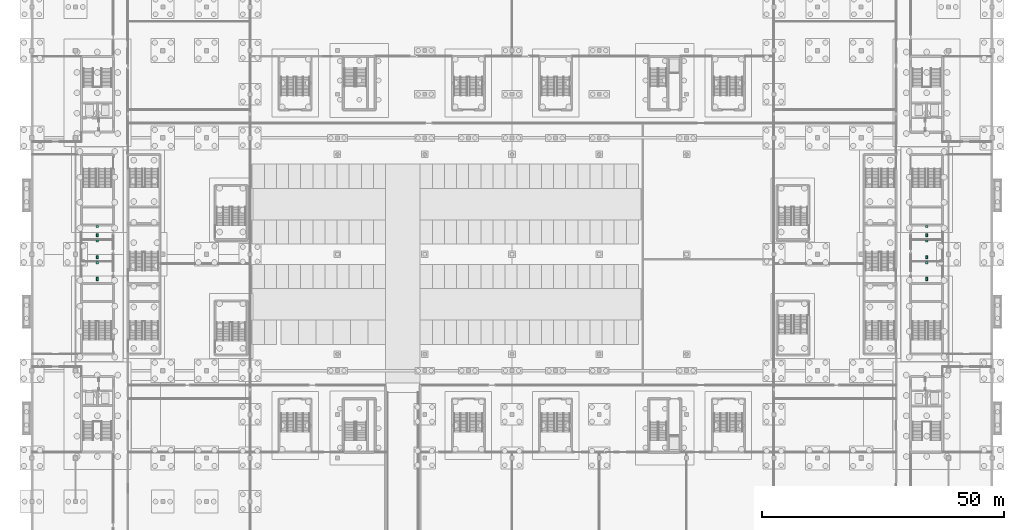
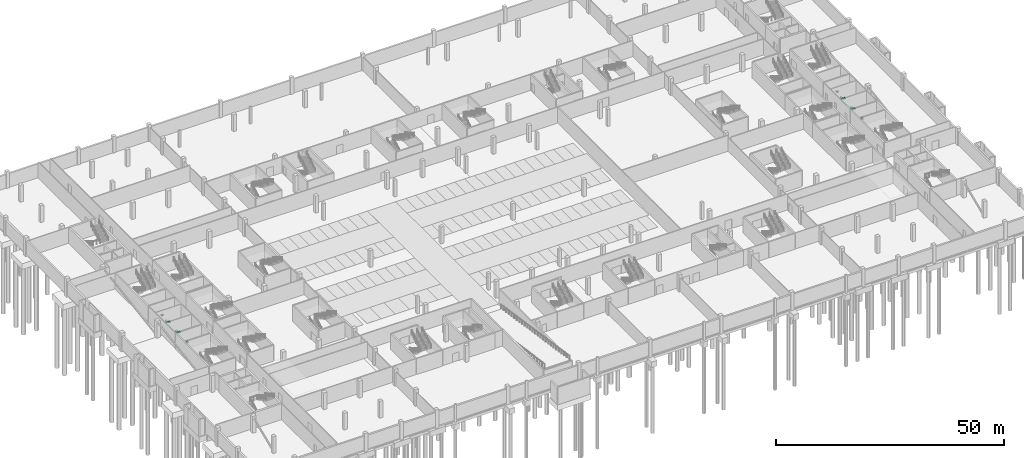
# One storey, part 45 of 46: 12 sanitary terminals.
"""IFC4 building model written with IfcOpenShell, lengths in metres."""

from ifc_helpers import new_model, si_unit, direction, frame, origin, origin_2d, place, context, subcontext, project, spatial, rectangle, extrude, material, type_object, element, save


model = new_model("IFC4")

# Units and contexts
model_context = context("Model", 3, precision=1e-05, world=origin(), true_north=direction((0.0, 1.0)))
body_context = subcontext(model_context, "Body", "Model", "MODEL_VIEW")
ifc_project = project(units=[si_unit("LENGTHUNIT", "METRE"), si_unit("AREAUNIT", "SQUARE_METRE"), si_unit("VOLUMEUNIT", "CUBIC_METRE"), si_unit("PLANEANGLEUNIT", "RADIAN"), si_unit("MASSUNIT", "GRAM", prefix="KILO")], contexts=[model_context])

# Site, building, storey
site_placement = place(None, origin())
site = spatial("IfcSite", under=ifc_project, at=site_placement, CompositionType="ELEMENT")
building_placement = place(site_placement, origin())
building = spatial("IfcBuilding", under=site, at=building_placement, Name="Kisiwana Market Hall", CompositionType="ELEMENT")
storey_placement = place(building_placement, frame((0.0, 0.0, -4.5)))
storey = spatial("IfcBuildingStorey", under=building, at=storey_placement, Name="B1", CompositionType="ELEMENT", Elevation=-4.5)

# Sanitary terminals
ifc_material_1 = material(Name="Vitreous china")
sanitary_terminal_type_1 = type_object("IfcSanitaryTerminalType", Name="SAN-BASIN", PredefinedType="WASHHANDBASIN", material=ifc_material_1)
for number, where, z_axis, x_axis, name in (
    (1, (13.5, 58.25, 0.68017578125), (0.0, 0.0, 1.0), (1.0, 0.0, 0.0), "Washhand basin B1-0001"),
    (2, (13.5, 62.75, 0.68017578125), (0.0, 0.0, 1.0), (1.0, 0.0, 0.0), "Washhand basin B1-0002"),
    (3, (13.5, 65.75, 0.68017578125), (0.0, 0.0, 1.0), (1.0, 0.0, 0.0), "Washhand basin B1-0003"),
    (4, (184.5, 58.25, 0.68017578125), (0.0, 0.0, 1.0), (1.0, 0.0, 0.0), "Washhand basin B1-0004"),
    (5, (184.5, 62.75, 0.68017578125), (0.0, 0.0, 1.0), (1.0, 0.0, 0.0), "Washhand basin B1-0005"),
    (6, (184.5, 65.75, 0.68017578125), (0.0, 0.0, 1.0), (1.0, 0.0, 0.0), "Washhand basin B1-0006"),
):
    element("IfcSanitaryTerminal", number, at=place(storey_placement, frame(where, z_axis=z_axis, x_axis=x_axis)), inside=storey, type_object=sanitary_terminal_type_1, Name=name, PredefinedType="WASHHANDBASIN", context=body_context, shape_type="SweptSolid", body=[
        extrude(rectangle(XDim=0.550048828125, YDim=0.449951171875, at=origin_2d()), origin(), (0.0, 0.0, 1.0), 0.199951171875),
    ])
ifc_material_2 = material(Name="Vitreous china")
sanitary_terminal_type_2 = type_object("IfcSanitaryTerminalType", Name="SAN-WC-PAN", PredefinedType="TOILETPAN", material=ifc_material_2)
for number, where, z_axis, x_axis, name in (
    (7, (13.5, 54.89990234375, 0.0), (0.0, 0.0, 1.0), (1.0, 0.0, 0.0), "WC pan B1-0001"),
    (8, (13.5, 59.39990234375, 0.0), (0.0, 0.0, 1.0), (1.0, 0.0, 0.0), "WC pan B1-0002"),
    (9, (13.5, 63.89990234375, 0.0), (0.0, 0.0, 1.0), (1.0, 0.0, 0.0), "WC pan B1-0003"),
    (10, (184.5, 54.89990234375, 0.0), (0.0, 0.0, 1.0), (1.0, 0.0, 0.0), "WC pan B1-0004"),
    (11, (184.5, 59.39990234375, 0.0), (0.0, 0.0, 1.0), (1.0, 0.0, 0.0), "WC pan B1-0005"),
    (12, (184.5, 63.89990234375, 0.0), (0.0, 0.0, 1.0), (1.0, 0.0, 0.0), "WC pan B1-0006"),
):
    element("IfcSanitaryTerminal", number, at=place(storey_placement, frame(where, z_axis=z_axis, x_axis=x_axis)), inside=storey, type_object=sanitary_terminal_type_2, Name=name, PredefinedType="TOILETPAN", context=body_context, shape_type="SweptSolid", body=[
        extrude(rectangle(XDim=0.39990234375, YDim=0.64990234375, at=origin_2d()), origin(), (0.0, 0.0, 1.0), 0.419921875),
    ])

save(model, "model.ifc")
